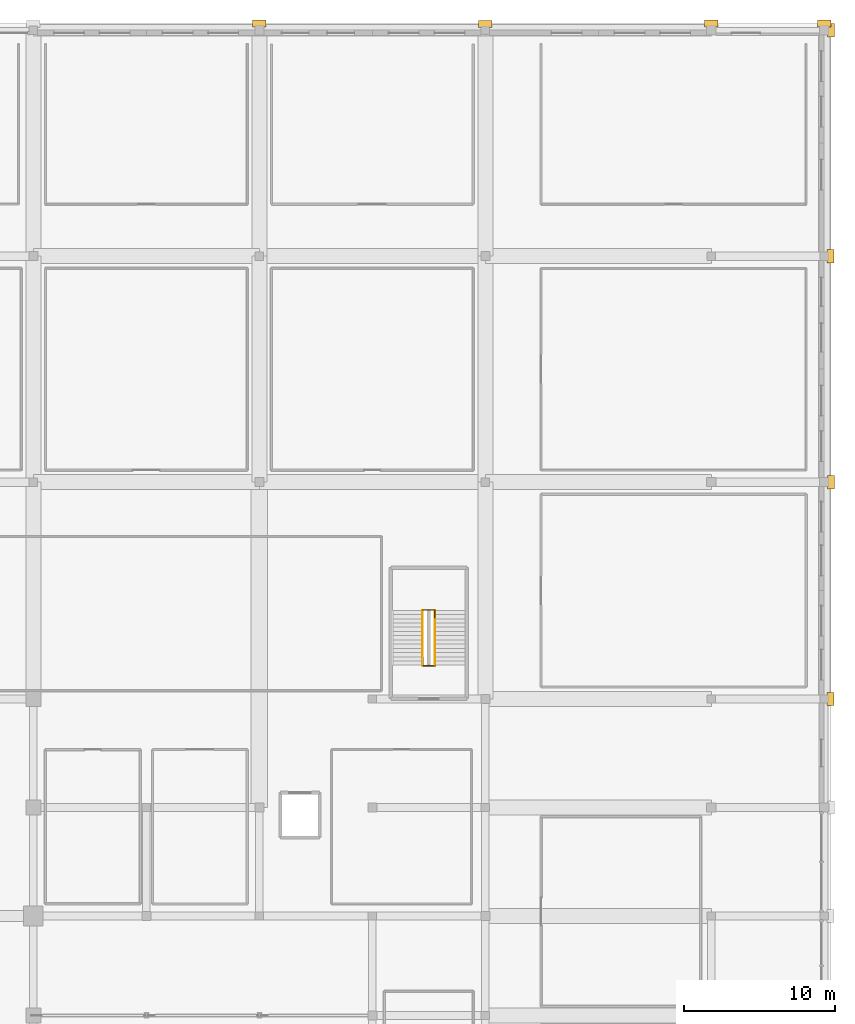
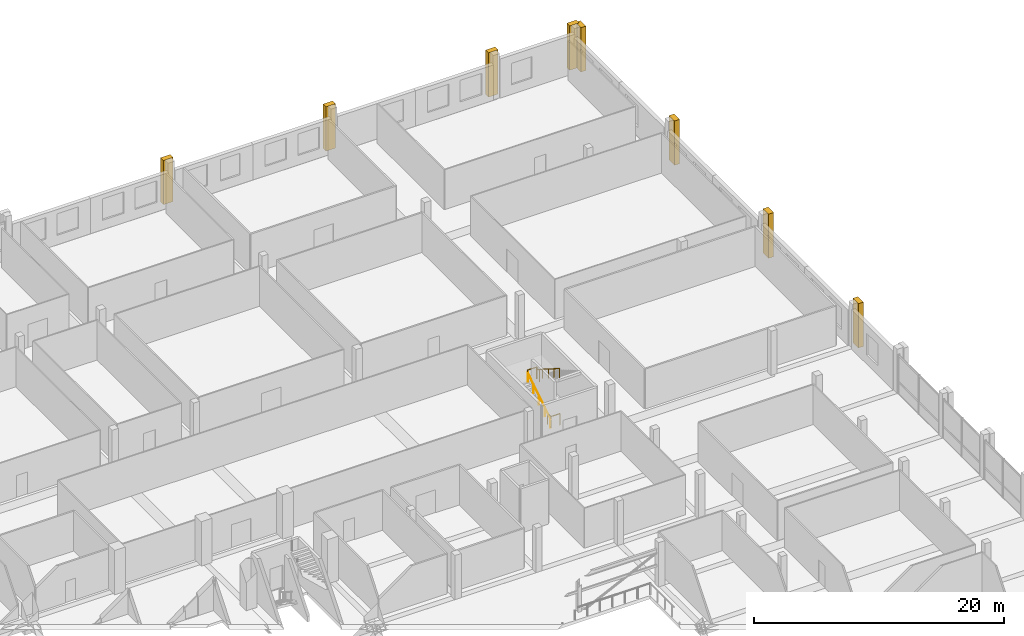
# One storey, part 68 of 68: 8 coverings, 4 railings.
"""IFC4 building model written with IfcOpenShell, lengths in metres."""

from ifc_helpers import new_model, si_unit, direction, frame, origin, origin_2d, place, context, subcontext, project, spatial, rectangle, circle, extrude, material, layer, layer_set, type_object, element, save


model = new_model("IFC4")

# Units and contexts
model_context = context("Model", 3, precision=1e-05, world=origin(), true_north=direction((0.0, 1.0)))
body_context = subcontext(model_context, "Body", "Model", "MODEL_VIEW")
ifc_project = project(units=[si_unit("LENGTHUNIT", "METRE"), si_unit("AREAUNIT", "SQUARE_METRE"), si_unit("VOLUMEUNIT", "CUBIC_METRE"), si_unit("PLANEANGLEUNIT", "RADIAN"), si_unit("MASSUNIT", "GRAM", prefix="KILO")], contexts=[model_context])

# Site, building, storey
site_placement = place(None, origin())
site = spatial("IfcSite", under=ifc_project, at=site_placement, CompositionType="ELEMENT")
building_placement = place(site_placement, origin())
building = spatial("IfcBuilding", under=site, at=building_placement, Name="Akrevak Sports Hall", CompositionType="ELEMENT")
storey_placement = place(building_placement, frame((0.0, 0.0, 9.39990234375)))
storey = spatial("IfcBuildingStorey", under=building, at=storey_placement, Name="L02", CompositionType="ELEMENT", Elevation=9.39990234375)

# Coverings
ifc_material_1 = material(Name="Limestone Ashlar", Category="stone")
ifc_layer_1 = layer(ifc_material_1, 0.47998046875, Name="Limestone Ashlar")
ifc_layer_set_1 = layer_set([ifc_layer_1], Name="Limestone Ashlar")
covering_type = type_object("IfcCoveringType", Name="ARC-COV-PIL-LIM", PredefinedType="CLADDING", material=ifc_layer_set_1)
for number, where, z_axis, x_axis, name in (
    (1, (168.425048828125, 69.60009765625, 0.0), (0.0, 0.0, 1.0), (0.0, 1.0, 0.0), "Giant-Order Limestone Pilaster L02-02-22"),
    (2, (168.449951171875, 84.0, 0.0), (0.0, 0.0, 1.0), (0.0, 1.0, 0.0), "Giant-Order Limestone Pilaster L02-02-23"),
    (3, (168.425048828125, 99.0, 0.0), (0.0, 0.0, 1.0), (0.0, 1.0, 0.0), "Giant-Order Limestone Pilaster L02-02-24"),
    (4, (168.449951171875, 114.0, 0.0), (0.0, 0.0, 1.0), (0.0, 1.0, 0.0), "Giant-Order Limestone Pilaster L02-02-25"),
    (5, (130.5, 114.449951171875, 0.0), (0.0, 0.0, 1.0), (-1.0, 0.0, 0.0), "Giant-Order Limestone Pilaster L02-03-36"),
    (6, (145.5, 114.425048828125, 0.0), (0.0, 0.0, 1.0), (-1.0, 0.0, 0.0), "Giant-Order Limestone Pilaster L02-03-37"),
    (7, (160.5, 114.449951171875, 0.0), (0.0, 0.0, 1.0), (-1.0, 0.0, 0.0), "Giant-Order Limestone Pilaster L02-03-38"),
    (8, (168.0, 114.449951171875, 0.0), (0.0, 0.0, 1.0), (-1.0, 0.0, 0.0), "Giant-Order Limestone Pilaster L02-03-38"),
):
    element("IfcCovering", number, at=place(storey_placement, frame(where, z_axis=z_axis, x_axis=x_axis)), inside=storey, type_object=covering_type, Name=name, PredefinedType="CLADDING", context=body_context, shape_type="SweptSolid", body=[
        extrude(rectangle(XDim=0.8798828125, YDim=0.4599609375, at=origin_2d()), origin(), (0.0, 0.0, 1.0), 4.320068359375),
    ])

# Railings
ifc_material_2 = material(Name="Painted Architectural Balustrade Steel", Category="steel")
ifc_layer_2 = layer(ifc_material_2, 0.06005859375, Name="Painted Architectural Balustrade Steel")
ifc_layer_set_2 = layer_set([ifc_layer_2], Name="Painted Architectural Balustrade Steel")
railing_type_1 = type_object("IfcRailingType", Name="ARC-RL-GRD-1120", PredefinedType="GUARDRAIL", material=ifc_layer_set_2)
railing_1_placement = place(storey_placement, frame((141.360107421875, 72.3701171875, 0.0)))
element("IfcRailing", 9, at=railing_1_placement, inside=storey, type_object=railing_type_1, Name="Stair Floor Landing Well Guard ST8 (L02)", PredefinedType="GUARDRAIL", context=body_context, shape_type="SweptSolid", body=[
    extrude(circle(Radius=0.02392578125, at=origin_2d()), frame((0.0, 0.0, 1.09619140625), z_axis=(0.0, -1.0, 0.0), x_axis=(1.0, 0.0, 0.0)), (0.0, 0.0, 1.0), 0.550048828125),
    extrude(circle(Radius=0.02392578125, at=origin_2d()), frame((0.0, -0.550048828125, 1.09619140625), z_axis=(1.0, 0.0, 0.0), x_axis=(0.0, 1.0, 0.0)), (0.0, 0.0, 1.0), 0.809814453125),
    extrude(circle(Radius=0.02099609375, at=origin_2d()), origin(), (0.0, 0.0, 1.0), 1.072021484375),
    extrude(circle(Radius=0.02099609375, at=origin_2d()), frame((0.0, -0.550048828125, 0.0)), (0.0, 0.0, 1.0), 1.072021484375),
    extrude(circle(Radius=0.02099609375, at=origin_2d()), frame((0.809814453125, -0.550048828125, 0.0)), (0.0, 0.0, 1.0), 1.072021484375),
])
railing_2_placement = place(storey_placement, frame((141.330078125, 75.52001953125, 2.300048828125)))
element("IfcRailing", 10, at=railing_2_placement, inside=storey, type_object=railing_type_1, Name="Stair Landing Well Guard ST8-L02-1", PredefinedType="GUARDRAIL", context=body_context, shape_type="SweptSolid", body=[
    extrude(circle(Radius=0.02392578125, at=origin_2d()), frame((0.0, 0.0, 1.09619140625), z_axis=(1.0, 0.0, 0.0), x_axis=(0.0, 1.0, 0.0)), (0.0, 0.0, 1.0), 0.809814453125),
    extrude(circle(Radius=0.02392578125, at=origin_2d()), frame((0.809814453125, 0.0, 1.09619140625), z_axis=(0.0, -1.0, 0.0), x_axis=(1.0, 0.0, 0.0)), (0.0, 0.0, 1.0), 0.52001953125),
    extrude(circle(Radius=0.02099609375, at=origin_2d()), origin(), (0.0, 0.0, 1.0), 1.072021484375),
    extrude(circle(Radius=0.02099609375, at=origin_2d()), frame((0.809814453125, 0.0, 0.0)), (0.0, 0.0, 1.0), 1.072021484375),
    extrude(circle(Radius=0.02099609375, at=origin_2d()), frame((0.809814453125, -0.52001953125, 0.0)), (0.0, 0.0, 1.0), 1.072021484375),
])
ifc_material_3 = material(Name="Brushed Stainless Steel 304", Category="steel")
ifc_layer_3 = layer(ifc_material_3, 0.050048828125, Name="Brushed Stainless Steel 304")
ifc_layer_set_3 = layer_set([ifc_layer_3], Name="Brushed Stainless Steel 304")
railing_type_2 = type_object("IfcRailingType", Name="ARC-RL-HND-900", PredefinedType="HANDRAIL", material=ifc_layer_set_3)
railing_3_placement = place(storey_placement, frame((141.330078125, 71.85009765625, 0.0)))
element("IfcRailing", 11, at=railing_3_placement, inside=storey, type_object=railing_type_2, Name="Stair Handrail ST8-L02-F1", PredefinedType="HANDRAIL", context=body_context, shape_type="SweptSolid", body=[
    extrude(circle(Radius=0.02392578125, at=origin_2d()), frame((0.0, 0.0, 0.8759765625), z_axis=(0.0, 0.845366270244, 0.534187110602), x_axis=(-1.0, 0.0, 0.0)), (0.0, 0.0, 1.0), 4.3056640625),
    extrude(circle(Radius=0.02099609375, at=origin_2d()), origin(), (0.0, 0.0, 1.0), 0.851806640625),
    extrude(circle(Radius=0.02099609375, at=origin_2d()), frame((0.0, 0.909912109375, 0.574951171875)), (0.0, 0.0, 1.0), 0.851806640625),
    extrude(circle(Radius=0.02099609375, at=origin_2d()), frame((0.0, 1.81982421875, 1.14990234375)), (0.0, 0.0, 1.0), 0.851806640625),
    extrude(circle(Radius=0.02099609375, at=origin_2d()), frame((0.0, 2.72998046875, 1.72509765625)), (0.0, 0.0, 1.0), 0.851806640625),
    extrude(circle(Radius=0.02099609375, at=origin_2d()), frame((0.0, 3.639892578125, 2.300048828125)), (0.0, 0.0, 1.0), 0.851806640625),
])
railing_4_placement = place(storey_placement, frame((142.169921875, 75.489990234375, 2.300048828125)))
element("IfcRailing", 12, at=railing_4_placement, inside=storey, type_object=railing_type_2, Name="Stair Handrail ST8-L02-F2", PredefinedType="HANDRAIL", context=body_context, shape_type="SweptSolid", body=[
    extrude(circle(Radius=0.02392578125, at=origin_2d()), frame((0.0, 0.0, 0.8759765625), z_axis=(0.0, -0.845366270244, 0.534187110602), x_axis=(1.0, 0.0, 0.0)), (0.0, 0.0, 1.0), 4.3056640625),
    extrude(circle(Radius=0.02099609375, at=origin_2d()), origin(), (0.0, 0.0, 1.0), 0.851806640625),
    extrude(circle(Radius=0.02099609375, at=origin_2d()), frame((0.0, -0.909912109375, 0.574951171875)), (0.0, 0.0, 1.0), 0.851806640625),
    extrude(circle(Radius=0.02099609375, at=origin_2d()), frame((0.0, -1.81982421875, 1.14990234375)), (0.0, 0.0, 1.0), 0.851806640625),
    extrude(circle(Radius=0.02099609375, at=origin_2d()), frame((0.0, -2.72998046875, 1.72509765625)), (0.0, 0.0, 1.0), 0.851806640625),
    extrude(circle(Radius=0.02099609375, at=origin_2d()), frame((0.0, -3.639892578125, 2.300048828125)), (0.0, 0.0, 1.0), 0.851806640625),
])

save(model, "model.ifc")
